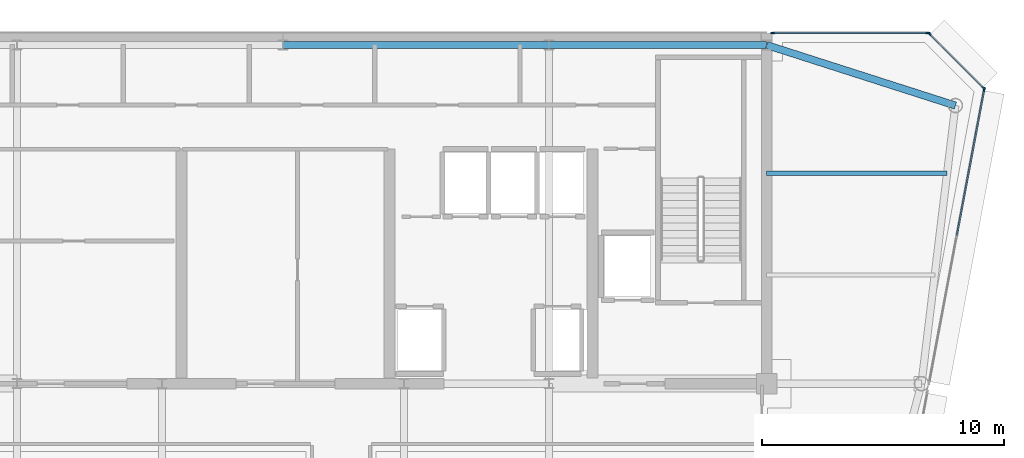
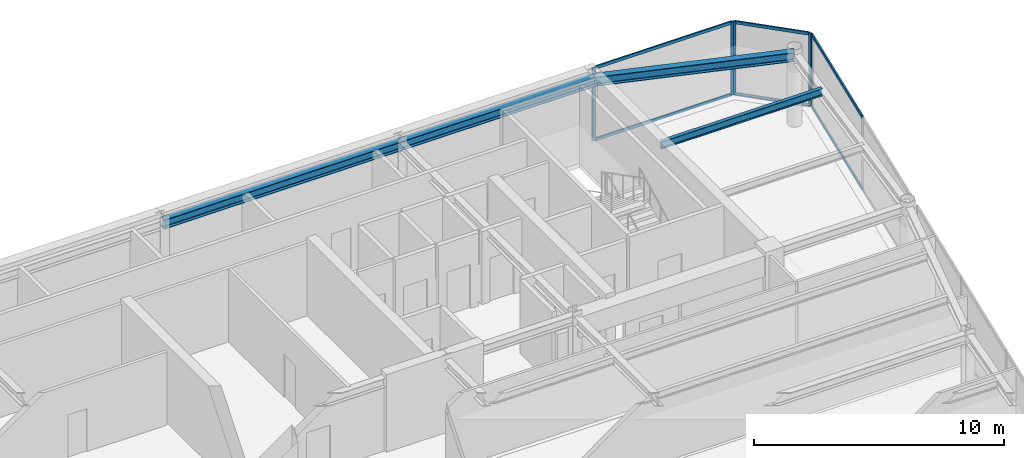
# One storey, part 9 of 20: 11 members, 4 beams, 3 elements without a shape of their own.
"""IFC4 building model written with IfcOpenShell, lengths in metres."""

from ifc_helpers import new_model, si_unit, direction, frame, origin, origin_2d, place, context, subcontext, project, spatial, rectangle, i_section, extrude, source, transform, mapped, material, layer, layer_set, material_profile, profile_set, type_object, element, aggregate, save


model = new_model("IFC4")

# Units and contexts
model_context = context("Model", 3, precision=1e-05, world=origin(), true_north=direction((0.0, 1.0)))
body_context = subcontext(model_context, "Body", "Model", "MODEL_VIEW")
ifc_project = project(units=[si_unit("LENGTHUNIT", "METRE"), si_unit("AREAUNIT", "SQUARE_METRE"), si_unit("VOLUMEUNIT", "CUBIC_METRE"), si_unit("PLANEANGLEUNIT", "RADIAN"), si_unit("MASSUNIT", "GRAM", prefix="KILO")], contexts=[model_context])

# Site, building, storey
site_placement = place(None, origin())
site = spatial("IfcSite", under=ifc_project, at=site_placement, CompositionType="ELEMENT")
building_placement = place(site_placement, origin())
building = spatial("IfcBuilding", under=site, at=building_placement, Name="Vaeldorn Concourse Tower", CompositionType="ELEMENT")
storey_placement = place(building_placement, frame((0.0, 0.0, 280.199951171875)))
storey = spatial("IfcBuildingStorey", under=building, at=storey_placement, Name="L72", CompositionType="ELEMENT", Elevation=280.199951171875)

# Beams
ifc_material_1 = material(Name="Steel S355", Category="steel")
ifc_material_profile_1 = material_profile(ifc_material_1, i_section(OverallWidth=0.300048828125, OverallDepth=0.449951171875, WebThickness=0.013916015625, FlangeThickness=0.02587890625, FilletRadius=0.027099609375, at=origin_2d()), Name="HEB 450")
ifc_profile_set_1 = profile_set([ifc_material_profile_1], Name="Steel S355")
beam_type_1 = type_object("IfcBeamType", Name="BM-PG-HEB450", PredefinedType="BEAM", material=ifc_profile_set_1)
shared_shape_1 = source(origin(), body_context, "Body", "SweptSolid", [
    extrude(i_section(OverallWidth=0.300048828125, OverallDepth=0.449951171875, WebThickness=0.013916015625, FlangeThickness=0.02587890625, FilletRadius=0.027099609375, at=origin_2d()), origin(), (0.0, 0.0, 1.0), 11.0),
])
beam_1_placement = place(storey_placement, frame((34.0, 50.5, 3.35498046875), z_axis=(1.0, 0.0, 0.0), x_axis=(0.0, 1.0, 0.0)))
element("IfcBeam", 1, at=beam_1_placement, inside=storey, type_object=beam_type_1, Name="Beam BM-L72-C-HC3-C-HC4", PredefinedType="BEAM", context=body_context, shape_type="MappedRepresentation", body=[
    mapped(shared_shape_1, transform((0.0, 0.0, 0.0), scale=1.0)),
])
ifc_material_profile_2 = material_profile(ifc_material_1, i_section(OverallWidth=0.169921875, OverallDepth=0.360107421875, WebThickness=0.008056640625, FlangeThickness=0.0126953125, FilletRadius=0.01806640625, at=origin_2d()), Name="IPE 360")
ifc_profile_set_2 = profile_set([ifc_material_profile_2], Name="Steel S355")
beam_type_2 = type_object("IfcBeamType", Name="BM-JS-IPE360", PredefinedType="JOIST", material=ifc_profile_set_2)
shared_shape_2 = source(origin(), body_context, "Body", "SweptSolid", [
    extrude(i_section(OverallWidth=0.169921875, OverallDepth=0.360107421875, WebThickness=0.008056640625, FlangeThickness=0.0126953125, FilletRadius=0.01806640625, at=origin_2d()), origin(), (0.0, 0.0, 1.0), 7.458984375),
])
beam_2_placement = place(storey_placement, frame((54.0, 45.199951171875, 3.400146484375), z_axis=(1.0, 0.0, 0.0), x_axis=(0.0, 1.0, 0.0)))
element("IfcBeam", 2, at=beam_2_placement, inside=storey, type_object=beam_type_2, Name="Beam JS-L72-NE-452", PredefinedType="JOIST", context=body_context, shape_type="MappedRepresentation", body=[
    mapped(shared_shape_2, transform((0.0, 0.0, 0.0), scale=1.0)),
])
shared_shape_3 = source(origin(), body_context, "Body", "SweptSolid", [
    extrude(i_section(OverallWidth=0.300048828125, OverallDepth=0.449951171875, WebThickness=0.013916015625, FlangeThickness=0.02587890625, FilletRadius=0.027099609375, at=origin_2d()), origin(), (0.0, 0.0, 1.0), 9.0),
])
beam_3_placement = place(storey_placement, frame((45.0, 50.5, 3.35498046875), z_axis=(1.0, 0.0, 0.0), x_axis=(0.0, 1.0, 0.0)))
element("IfcBeam", 3, at=beam_3_placement, inside=storey, type_object=beam_type_1, Name="Beam BM-L72-C-HC4-C-HC5", PredefinedType="BEAM", context=body_context, shape_type="MappedRepresentation", body=[
    mapped(shared_shape_3, transform((0.0, 0.0, 0.0), scale=1.0)),
])
shared_shape_4 = source(origin(), body_context, "Body", "SweptSolid", [
    extrude(i_section(OverallWidth=0.300048828125, OverallDepth=0.449951171875, WebThickness=0.013916015625, FlangeThickness=0.02587890625, FilletRadius=0.027099609375, at=origin_2d()), origin(), (0.0, 0.0, 1.0), 8.19091796875),
])
beam_4_placement = place(storey_placement, frame((54.0, 50.5, 3.35498046875), z_axis=(0.952282843383, -0.305216949396, 0.0), x_axis=(0.305216949396, 0.952282843383, 0.0)))
element("IfcBeam", 4, at=beam_4_placement, inside=storey, type_object=beam_type_1, Name="Beam BM-L72-C-HC5-C-NE1", PredefinedType="BEAM", context=body_context, shape_type="MappedRepresentation", body=[
    mapped(shared_shape_4, transform((0.0, 0.0, 0.0), scale=1.0)),
])

# Curtain wall, members
ifc_material_2 = material(Name="Anodised Bronze Aluminium", Category="aluminium")
ifc_layer = layer(ifc_material_2, 0.179931640625)
ifc_layer_set = layer_set([ifc_layer], Name="Anodised Bronze Aluminium")
curtain_wall_type = type_object("IfcCurtainWallType", Name="CW-SYS-05", PredefinedType="NOTDEFINED", material=ifc_layer_set)
curtain_wall_1_placement = place(storey_placement, origin())
curtain_wall_1 = element("IfcCurtainWall", 5, at=curtain_wall_1_placement, inside=storey, type_object=curtain_wall_type, Name="Unitised Curtain Wall CW-L72-E08-1", PredefinedType="NOTDEFINED")
ifc_material_profile_3 = material_profile(ifc_material_2, rectangle(XDim=0.06494140625, YDim=0.14990234375, at=origin_2d()), Name="CWT 65x150")
ifc_profile_set_3 = profile_set([ifc_material_profile_3], Name="Anodised Bronze Aluminium")
member_type_1 = type_object("IfcMemberType", Name="CWT-BRONZE-150", PredefinedType="USERDEFINED", material=ifc_profile_set_3)
shared_shape_5 = source(origin(), body_context, "Body", "SweptSolid", [
    extrude(rectangle(XDim=0.06494140625, YDim=0.14990234375, at=origin_2d()), origin(), (0.0, 0.0, 1.0), 3.123046875),
])
member_1_placement = place(storey_placement, frame((62.9541015625, 48.745849609375, 0.032470703125), z_axis=(-0.707106781187, 0.707106781187, 0.0), x_axis=(-0.707106781187, -0.707106781187, 0.0)))
member_1 = element("IfcMember", 6, at=member_1_placement, type_object=member_type_1, Name="CW-05 transom 1.1", ObjectType="TRANSOM", PredefinedType="USERDEFINED", context=body_context, shape_type="MappedRepresentation", body=[
    mapped(shared_shape_5, transform((0.0, 0.0, 0.0), scale=1.0)),
])
member_2_placement = place(storey_placement, frame((62.9541015625, 48.745849609375, 3.547607421875), z_axis=(-0.707106781187, 0.707106781187, 0.0), x_axis=(-0.707106781187, -0.707106781187, 0.0)))
member_2 = element("IfcMember", 7, at=member_2_placement, type_object=member_type_1, Name="CW-05 transom 1.2", ObjectType="TRANSOM", PredefinedType="USERDEFINED", context=body_context, shape_type="MappedRepresentation", body=[
    mapped(shared_shape_5, transform((0.0, 0.0, 0.0), scale=1.0)),
])

# Curtain wall, member
curtain_wall_2_placement = place(storey_placement, origin())
curtain_wall_2 = element("IfcCurtainWall", 8, at=curtain_wall_2_placement, inside=storey, type_object=curtain_wall_type, Name="Unitised Curtain Wall CW-L72-E07-2", PredefinedType="NOTDEFINED")
ifc_material_profile_4 = material_profile(ifc_material_2, rectangle(XDim=0.06494140625, YDim=0.169921875, at=origin_2d()), Name="CWM 65x170")
ifc_profile_set_4 = profile_set([ifc_material_profile_4], Name="Anodised Bronze Aluminium")
member_type_2 = type_object("IfcMemberType", Name="CWM-BRONZE-170", PredefinedType="MULLION", material=ifc_profile_set_4)
shared_shape_6 = source(origin(), body_context, "Body", "SweptSolid", [
    extrude(rectangle(XDim=0.06494140625, YDim=0.169921875, at=origin_2d()), origin(), (0.0, 0.0, 1.0), 3.580078125),
])
member_3_placement = place(storey_placement, frame((62.993896484375, 48.66796875, 0.0), z_axis=(0.0, 0.0, 1.0), x_axis=(-0.982880218842, 0.184245693053, 0.0)))
member_3 = element("IfcMember", 9, at=member_3_placement, type_object=member_type_2, Name="CW-05 mullion 3", PredefinedType="MULLION", context=body_context, shape_type="MappedRepresentation", body=[
    mapped(shared_shape_6, transform((0.0, 0.0, 0.0), scale=1.0)),
])

# Member
member_4_placement = place(storey_placement, frame((62.97705078125, 48.722900390625, 0.0), z_axis=(0.0, 0.0, 1.0), x_axis=(-0.707106781187, -0.707106781187, 0.0)))
member_4 = element("IfcMember", 10, at=member_4_placement, type_object=member_type_2, Name="CW-05 mullion 1", PredefinedType="MULLION", context=body_context, shape_type="MappedRepresentation", body=[
    mapped(shared_shape_6, transform((0.0, 0.0, 0.0), scale=1.0)),
])

member_5_placement = place(storey_placement, frame((60.722900390625, 50.97705078125, 0.0), z_axis=(0.0, 0.0, 1.0), x_axis=(-0.707106781187, -0.707106781187, 0.0)))
member_5 = element("IfcMember", 11, at=member_5_placement, type_object=member_type_2, Name="CW-05 mullion 2", PredefinedType="MULLION", context=body_context, shape_type="MappedRepresentation", body=[
    mapped(shared_shape_6, transform((0.0, 0.0, 0.0), scale=1.0)),
])

aggregate(curtain_wall_1, [member_4, member_5, member_1, member_2])

# Curtain wall, members
curtain_wall_3_placement = place(storey_placement, origin())
curtain_wall_3 = element("IfcCurtainWall", 12, at=curtain_wall_3_placement, inside=storey, type_object=curtain_wall_type, Name="Unitised Curtain Wall CW-L72-E09-1", PredefinedType="NOTDEFINED")
member_6_placement = place(storey_placement, frame((60.66748046875, 51.0, 0.0), z_axis=(0.0, 0.0, 1.0), x_axis=(0.0, -1.0, 0.0)))
member_6 = element("IfcMember", 13, at=member_6_placement, type_object=member_type_2, Name="CW-05 mullion 1", PredefinedType="MULLION", context=body_context, shape_type="MappedRepresentation", body=[
    mapped(shared_shape_6, transform((0.0, 0.0, 0.0), scale=1.0)),
])
member_7_placement = place(storey_placement, frame((54.25244140625, 51.0, 0.0), z_axis=(0.0, 0.0, 1.0), x_axis=(0.0, -1.0, 0.0)))
member_7 = element("IfcMember", 14, at=member_7_placement, type_object=member_type_2, Name="CW-05 mullion 2", PredefinedType="MULLION", context=body_context, shape_type="MappedRepresentation", body=[
    mapped(shared_shape_6, transform((0.0, 0.0, 0.0), scale=1.0)),
])
shared_shape_7 = source(origin(), body_context, "Body", "SweptSolid", [
    extrude(rectangle(XDim=0.06494140625, YDim=0.14990234375, at=origin_2d()), origin(), (0.0, 0.0, 1.0), 6.35009765625),
])
member_8_placement = place(storey_placement, frame((60.635009765625, 51.0, 0.032470703125), z_axis=(-1.0, 0.0, 0.0), x_axis=(0.0, -1.0, 0.0)))
member_8 = element("IfcMember", 15, at=member_8_placement, type_object=member_type_1, Name="CW-05 transom 1.1", ObjectType="TRANSOM", PredefinedType="USERDEFINED", context=body_context, shape_type="MappedRepresentation", body=[
    mapped(shared_shape_7, transform((0.0, 0.0, 0.0), scale=1.0)),
])
member_9_placement = place(storey_placement, frame((60.635009765625, 51.0, 3.547607421875), z_axis=(-1.0, 0.0, 0.0), x_axis=(0.0, -1.0, 0.0)))
member_9 = element("IfcMember", 16, at=member_9_placement, type_object=member_type_1, Name="CW-05 transom 1.2", ObjectType="TRANSOM", PredefinedType="USERDEFINED", context=body_context, shape_type="MappedRepresentation", body=[
    mapped(shared_shape_7, transform((0.0, 0.0, 0.0), scale=1.0)),
])
aggregate(curtain_wall_3, [member_6, member_7, member_8, member_9])

# Member
shared_shape_8 = source(origin(), body_context, "Body", "SweptSolid", [
    extrude(rectangle(XDim=0.06494140625, YDim=0.14990234375, at=origin_2d()), origin(), (0.0, 0.0, 1.0), 6.103515625),
])
member_10_placement = place(storey_placement, frame((61.863525390625, 42.63720703125, 0.032470703125), z_axis=(0.18424023288, 0.982881242363, 0.0), x_axis=(-0.982881242363, 0.18424023288, 0.0)))
member_10 = element("IfcMember", 17, at=member_10_placement, type_object=member_type_1, Name="CW-05 transom 2.1", ObjectType="TRANSOM", PredefinedType="USERDEFINED", context=body_context, shape_type="MappedRepresentation", body=[
    mapped(shared_shape_8, transform((0.0, 0.0, 0.0), scale=1.0)),
])

member_11_placement = place(storey_placement, frame((61.863525390625, 42.63720703125, 3.547607421875), z_axis=(0.18424023288, 0.982881242363, 0.0), x_axis=(-0.982881242363, 0.18424023288, 0.0)))
member_11 = element("IfcMember", 18, at=member_11_placement, type_object=member_type_1, Name="CW-05 transom 2.2", ObjectType="TRANSOM", PredefinedType="USERDEFINED", context=body_context, shape_type="MappedRepresentation", body=[
    mapped(shared_shape_8, transform((0.0, 0.0, 0.0), scale=1.0)),
])

aggregate(curtain_wall_2, [member_3, member_10, member_11])

save(model, "model.ifc")
